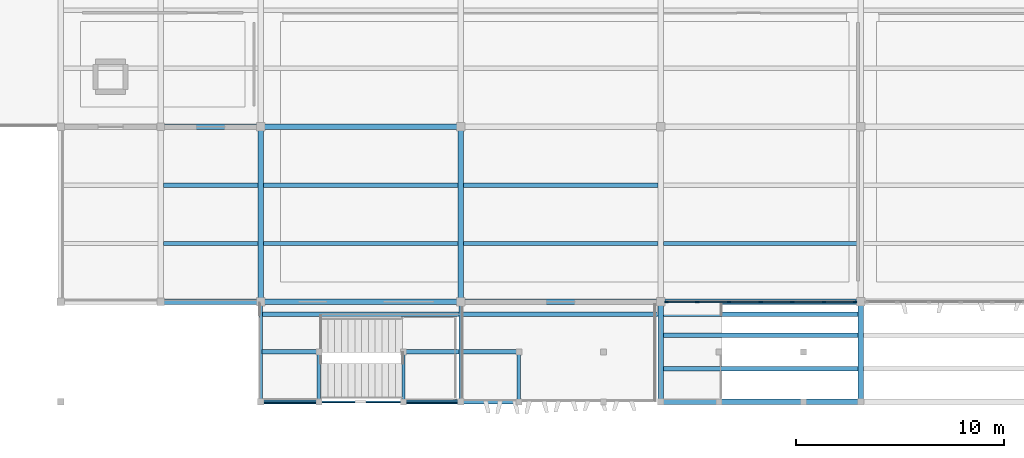
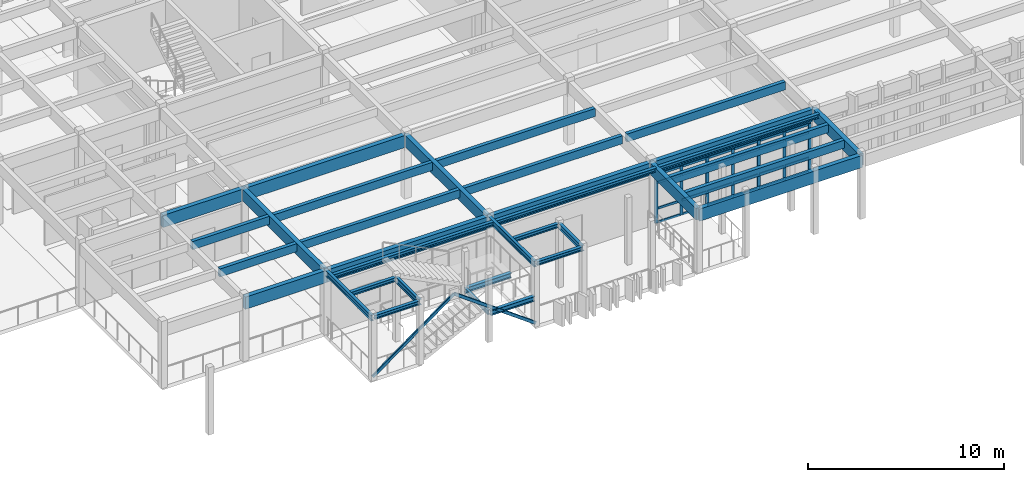
# One storey, part 6 of 42: 34 beams, 33 members, 1 element without a shape of its own.
"""IFC4 building model written with IfcOpenShell, lengths in metres."""

from ifc_helpers import new_model, si_unit, direction, frame, origin, origin_2d, place, context, subcontext, project, spatial, rectangle, hollow_rectangle, i_section, extrude, material, layer, layer_set, material_profile, profile_set, type_object, element, aggregate, save


model = new_model("IFC4")

# Units and contexts
model_context = context("Model", 3, precision=1e-05, world=origin(), true_north=direction((0.0, 1.0)))
body_context = subcontext(model_context, "Body", "Model", "MODEL_VIEW")
ifc_project = project(units=[si_unit("LENGTHUNIT", "METRE"), si_unit("AREAUNIT", "SQUARE_METRE"), si_unit("VOLUMEUNIT", "CUBIC_METRE"), si_unit("PLANEANGLEUNIT", "RADIAN"), si_unit("MASSUNIT", "GRAM", prefix="KILO")], contexts=[model_context])

# Site, building, storey
site_placement = place(None, origin())
site = spatial("IfcSite", under=ifc_project, at=site_placement, CompositionType="ELEMENT")
building_placement = place(site_placement, origin())
building = spatial("IfcBuilding", under=site, at=building_placement, Name="Kolvemor Railside Polytechnic", CompositionType="ELEMENT")
storey_placement = place(building_placement, frame((0.0, 0.0, 14.39990234375)))
storey = spatial("IfcBuildingStorey", under=building, at=storey_placement, Name="L03", CompositionType="ELEMENT", Elevation=14.39990234375)

# Beams
ifc_material_1 = material(Name="Glulam GL28h", Category="wood")
ifc_material_profile_1 = material_profile(ifc_material_1, rectangle(XDim=0.264892578125, YDim=0.760009765625, at=origin_2d()), Name="GL265x760")
ifc_profile_set_1 = profile_set([ifc_material_profile_1], Name="Glulam GL28h")
beam_type_1 = type_object("IfcBeamType", Name="BM-GL-GIRD1", PredefinedType="BEAM", material=ifc_profile_set_1)
beam_1_placement = place(storey_placement, frame((62.39990234375, 4.800048828125, 3.570068359375), z_axis=(1.0, 0.0, 0.0), x_axis=(0.0, 1.0, 0.0)))
element("IfcBeam", 1, at=beam_1_placement, inside=storey, type_object=beam_type_1, Name="Primary Girder L04-GX 1368", PredefinedType="BEAM", context=body_context, shape_type="SweptSolid", body=[
    extrude(rectangle(XDim=0.264892578125, YDim=0.760009765625, at=origin_2d()), origin(), (0.0, 0.0, 1.0), 4.800048828125),
])
beam_2_placement = place(storey_placement, frame((67.199951171875, 4.800048828125, 3.570068359375), z_axis=(1.0, 0.0, 0.0), x_axis=(0.0, 1.0, 0.0)))
element("IfcBeam", 2, at=beam_2_placement, inside=storey, type_object=beam_type_1, Name="Primary Girder L04-GX 1369", PredefinedType="BEAM", context=body_context, shape_type="SweptSolid", body=[
    extrude(rectangle(XDim=0.264892578125, YDim=0.760009765625, at=origin_2d()), origin(), (0.0, 0.0, 1.0), 9.60009765625),
])
beam_3_placement = place(storey_placement, frame((76.800048828125, 4.800048828125, 3.570068359375), z_axis=(1.0, 0.0, 0.0), x_axis=(0.0, 1.0, 0.0)))
element("IfcBeam", 3, at=beam_3_placement, inside=storey, type_object=beam_type_1, Name="Primary Girder L04-GX 1370", PredefinedType="BEAM", context=body_context, shape_type="SweptSolid", body=[
    extrude(rectangle(XDim=0.264892578125, YDim=0.760009765625, at=origin_2d()), origin(), (0.0, 0.0, 1.0), 9.599853515625),
])
beam_4_placement = place(storey_placement, frame((86.39990234375, 4.800048828125, 3.570068359375), z_axis=(1.0, 0.0, 0.0), x_axis=(0.0, 1.0, 0.0)))
element("IfcBeam", 4, at=beam_4_placement, inside=storey, type_object=beam_type_1, Name="Primary Girder L04-GX 1371", PredefinedType="BEAM", context=body_context, shape_type="SweptSolid", body=[
    extrude(rectangle(XDim=0.264892578125, YDim=0.760009765625, at=origin_2d()), origin(), (0.0, 0.0, 1.0), 9.60009765625),
])
beam_5_placement = place(storey_placement, frame((62.39990234375, 13.199951171875, 3.570068359375), z_axis=(1.0, 0.0, 0.0), x_axis=(0.0, 1.0, 0.0)))
element("IfcBeam", 5, at=beam_5_placement, inside=storey, type_object=beam_type_1, Name="Primary Girder L04-GX 1377", PredefinedType="BEAM", context=body_context, shape_type="SweptSolid", body=[
    extrude(rectangle(XDim=0.264892578125, YDim=0.760009765625, at=origin_2d()), origin(), (0.0, 0.0, 1.0), 4.800048828125),
])
for number, where, z_axis, x_axis, name in (
    (6, (67.199951171875, 13.199951171875, 3.570068359375), (1.0, 0.0, 0.0), (0.0, 1.0, 0.0), "Primary Girder L04-GX 1378"),
    (7, (86.39990234375, 0.0, 3.570068359375), (1.0, 0.0, 0.0), (0.0, 1.0, 0.0), "Primary Girder L04-GX 1942"),
):
    element("IfcBeam", number, at=place(storey_placement, frame(where, z_axis=z_axis, x_axis=x_axis)), inside=storey, type_object=beam_type_1, Name=name, PredefinedType="BEAM", context=body_context, shape_type="SweptSolid", body=[
        extrude(rectangle(XDim=0.264892578125, YDim=0.760009765625, at=origin_2d()), origin(), (0.0, 0.0, 1.0), 9.60009765625),
    ])
ifc_material_2 = material(Name="Glulam GL28h", Category="wood")
ifc_material_profile_2 = material_profile(ifc_material_2, rectangle(XDim=0.264892578125, YDim=0.719970703125, at=origin_2d()), Name="GL265x720")
ifc_profile_set_2 = profile_set([ifc_material_profile_2], Name="Glulam GL28h")
beam_type_2 = type_object("IfcBeamType", Name="BM-GL-GIRD4", PredefinedType="BEAM", material=ifc_profile_set_2)
for number, where, z_axis, x_axis, name in (
    (8, (67.199951171875, 4.800048828125, 3.590087890625), (0.0, 1.0, 0.0), (-1.0, 0.0, 0.0), "Primary Girder L04-GY 1420"),
    (9, (76.800048828125, 4.800048828125, 3.590087890625), (0.0, 1.0, 0.0), (-1.0, 0.0, 0.0), "Primary Girder L04-GY 1424"),
):
    element("IfcBeam", number, at=place(storey_placement, frame(where, z_axis=z_axis, x_axis=x_axis)), inside=storey, type_object=beam_type_2, Name=name, PredefinedType="BEAM", context=body_context, shape_type="SweptSolid", body=[
        extrude(rectangle(XDim=0.264892578125, YDim=0.719970703125, at=origin_2d()), origin(), (0.0, 0.0, 1.0), 8.39990234375),
    ])
for number, where, z_axis, x_axis, name in (
    (10, (86.39990234375, 0.0, 3.590087890625), (0.0, 1.0, 0.0), (-1.0, 0.0, 0.0), "Primary Girder L04-GY 1945"),
    (11, (96.0, 0.0, 3.590087890625), (0.0, 1.0, 0.0), (-1.0, 0.0, 0.0), "Primary Girder L04-GY 1946"),
):
    element("IfcBeam", number, at=place(storey_placement, frame(where, z_axis=z_axis, x_axis=x_axis)), inside=storey, type_object=beam_type_2, Name=name, PredefinedType="BEAM", context=body_context, shape_type="SweptSolid", body=[
        extrude(rectangle(XDim=0.264892578125, YDim=0.719970703125, at=origin_2d()), origin(), (0.0, 0.0, 1.0), 4.800048828125),
    ])
ifc_material_3 = material(Name="Glulam GL28h", Category="wood")
ifc_material_profile_3 = material_profile(ifc_material_3, rectangle(XDim=0.215087890625, YDim=0.5, at=origin_2d()), Name="GL215x500")
ifc_profile_set_3 = profile_set([ifc_material_profile_3], Name="Glulam GL28h")
beam_type_3 = type_object("IfcBeamType", Name="BM-GL-JST3", PredefinedType="JOIST", material=ifc_profile_set_3)
for number, where, z_axis, x_axis, name in (
    (12, (62.532958984375, 7.60009765625, 3.7001953125), (1.0, 0.0, 0.0), (0.0, 1.0, 0.0), "Floor Joist L04-J1460"),
    (13, (62.532958984375, 10.39990234375, 3.7001953125), (1.0, 0.0, 0.0), (0.0, 1.0, 0.0), "Floor Joist L04-J1461"),
):
    element("IfcBeam", number, at=place(storey_placement, frame(where, z_axis=z_axis, x_axis=x_axis)), inside=storey, type_object=beam_type_3, Name=name, PredefinedType="JOIST", context=body_context, shape_type="SweptSolid", body=[
        extrude(rectangle(XDim=0.215087890625, YDim=0.5, at=origin_2d()), origin(), (0.0, 0.0, 1.0), 4.533935546875),
    ])
for number, where, z_axis, x_axis, name in (
    (14, (67.3330078125, 7.60009765625, 3.7001953125), (1.0, 0.0, 0.0), (0.0, 1.0, 0.0), "Floor Joist L04-J1468"),
    (15, (67.3330078125, 10.39990234375, 3.7001953125), (1.0, 0.0, 0.0), (0.0, 1.0, 0.0), "Floor Joist L04-J1469"),
    (16, (76.93310546875, 7.60009765625, 3.7001953125), (1.0, 0.0, 0.0), (0.0, 1.0, 0.0), "Floor Joist L04-J1474"),
    (17, (76.93310546875, 10.39990234375, 3.7001953125), (1.0, 0.0, 0.0), (0.0, 1.0, 0.0), "Floor Joist L04-J1475"),
    (18, (86.532958984375, 7.60009765625, 3.7001953125), (1.0, 0.0, 0.0), (0.0, 1.0, 0.0), "Floor Joist L04-J1482"),
    (19, (86.532958984375, 1.60009765625, 3.7001953125), (1.0, 0.0, 0.0), (0.0, 1.0, 0.0), "Floor Joist L04-J1949"),
    (20, (86.532958984375, 3.199951171875, 3.7001953125), (1.0, 0.0, 0.0), (0.0, 1.0, 0.0), "Floor Joist L04-J1950"),
):
    element("IfcBeam", number, at=place(storey_placement, frame(where, z_axis=z_axis, x_axis=x_axis)), inside=storey, type_object=beam_type_3, Name=name, PredefinedType="JOIST", context=body_context, shape_type="SweptSolid", body=[
        extrude(rectangle(XDim=0.215087890625, YDim=0.5, at=origin_2d()), origin(), (0.0, 0.0, 1.0), 9.333984375),
    ])
ifc_material_4 = material(Name="Steel S355", Category="steel")
ifc_material_profile_4 = material_profile(ifc_material_4, i_section(OverallWidth=0.1708984375, OverallDepth=0.35205078125, WebThickness=0.0068359375, FlangeThickness=0.009765625, FilletRadius=0.010986328125, at=origin_2d()), Name="W360x44")
ifc_profile_set_4 = profile_set([ifc_material_profile_4], Name="Steel S355")
beam_type_4 = type_object("IfcBeamType", Name="BM-ST-G3", PredefinedType="BEAM", material=ifc_profile_set_4)
beam_6_placement = place(storey_placement, frame((67.199951171875, 0.0, 3.80419921875), z_axis=(0.0, 1.0, 0.0), x_axis=(-1.0, 0.0, 0.0)))
element("IfcBeam", 21, at=beam_6_placement, inside=storey, type_object=beam_type_4, Name="Zigzag Stair Top Beam L04 2067", PredefinedType="BEAM", context=body_context, shape_type="SweptSolid", body=[
    extrude(i_section(OverallWidth=0.1708984375, OverallDepth=0.35205078125, WebThickness=0.0068359375, FlangeThickness=0.009765625, FilletRadius=0.010986328125, at=origin_2d()), origin(), (0.0, 0.0, 1.0), 4.800048828125),
])
beam_7_placement = place(storey_placement, frame((70.0, 0.0, 3.80419921875), z_axis=(0.0, 1.0, 0.0), x_axis=(-1.0, 0.0, 0.0)))
element("IfcBeam", 22, at=beam_7_placement, inside=storey, type_object=beam_type_4, Name="Zigzag Stair Top Beam L04 2068", PredefinedType="BEAM", context=body_context, shape_type="SweptSolid", body=[
    extrude(i_section(OverallWidth=0.1708984375, OverallDepth=0.35205078125, WebThickness=0.0068359375, FlangeThickness=0.009765625, FilletRadius=0.010986328125, at=origin_2d()), origin(), (0.0, 0.0, 1.0), 2.39990234375),
])
beam_8_placement = place(storey_placement, frame((76.800048828125, 0.0, 3.80419921875), z_axis=(0.0, 1.0, 0.0), x_axis=(-1.0, 0.0, 0.0)))
element("IfcBeam", 23, at=beam_8_placement, inside=storey, type_object=beam_type_4, Name="Zigzag Stair Departure Beam L04 2071", PredefinedType="BEAM", context=body_context, shape_type="SweptSolid", body=[
    extrude(i_section(OverallWidth=0.1708984375, OverallDepth=0.35205078125, WebThickness=0.0068359375, FlangeThickness=0.009765625, FilletRadius=0.010986328125, at=origin_2d()), origin(), (0.0, 0.0, 1.0), 4.800048828125),
])
beam_9_placement = place(storey_placement, frame((79.60009765625, 0.0, 3.80419921875), z_axis=(0.0, 1.0, 0.0), x_axis=(-1.0, 0.0, 0.0)))
element("IfcBeam", 24, at=beam_9_placement, inside=storey, type_object=beam_type_4, Name="Zigzag Stair Departure Beam L04 2072", PredefinedType="BEAM", context=body_context, shape_type="SweptSolid", body=[
    extrude(i_section(OverallWidth=0.1708984375, OverallDepth=0.35205078125, WebThickness=0.0068359375, FlangeThickness=0.009765625, FilletRadius=0.010986328125, at=origin_2d()), origin(), (0.0, 0.0, 1.0), 2.39990234375),
])
ifc_material_5 = material(Name="Steel S355", Category="steel")
ifc_material_profile_5 = material_profile(ifc_material_5, i_section(OverallWidth=0.14599609375, OverallDepth=0.258056640625, WebThickness=0.006103515625, FlangeThickness=0.009033203125, FilletRadius=0.009033203125, at=origin_2d()), Name="W250x33")
ifc_profile_set_5 = profile_set([ifc_material_profile_5], Name="Steel S355")
beam_type_5 = type_object("IfcBeamType", Name="BM-ST-G4", PredefinedType="BEAM", material=ifc_profile_set_5)
beam_10_placement = place(storey_placement, frame((74.050048828125, 0.0, 1.7509765625), z_axis=(0.0, 1.0, 0.0), x_axis=(-1.0, 0.0, 0.0)))
element("IfcBeam", 25, at=beam_10_placement, inside=storey, type_object=beam_type_5, Name="Zigzag Stair Mid Beam L03 2078", PredefinedType="BEAM", context=body_context, shape_type="SweptSolid", body=[
    extrude(i_section(OverallWidth=0.14599609375, OverallDepth=0.258056640625, WebThickness=0.006103515625, FlangeThickness=0.009033203125, FilletRadius=0.009033203125, at=origin_2d()), origin(), (0.0, 0.0, 1.0), 2.39990234375),
])
ifc_material_6 = material(Name="Steel S355", Category="steel")
ifc_material_profile_6 = material_profile(ifc_material_6, i_section(OverallWidth=0.202880859375, OverallDepth=0.302978515625, WebThickness=0.007568359375, FlangeThickness=0.01318359375, FilletRadius=0.010009765625, at=origin_2d()), Name="W310x60")
ifc_profile_set_6 = profile_set([ifc_material_profile_6], Name="Steel S355")
beam_type_6 = type_object("IfcBeamType", Name="BM-ST-G5", PredefinedType="BEAM", material=ifc_profile_set_6)
for number, where, z_axis, x_axis, name in (
    (26, (74.125, 0.0, 1.728515625), (1.0, 0.0, 0.0), (0.0, 1.0, 0.0), "Zigzag Stair Mid Tie L03 2079"),
    (27, (74.125, 2.39990234375, 1.728515625), (1.0, 0.0, 0.0), (0.0, 1.0, 0.0), "Zigzag Stair Mid Tie L03 2080"),
):
    element("IfcBeam", number, at=place(storey_placement, frame(where, z_axis=z_axis, x_axis=x_axis)), inside=storey, type_object=beam_type_6, Name=name, PredefinedType="BEAM", context=body_context, shape_type="SweptSolid", body=[
        extrude(i_section(OverallWidth=0.202880859375, OverallDepth=0.302978515625, WebThickness=0.007568359375, FlangeThickness=0.01318359375, FilletRadius=0.010009765625, at=origin_2d()), origin(), (0.0, 0.0, 1.0), 2.60009765625),
    ])
ifc_material_7 = material(Name="Steel S355", Category="steel")
ifc_material_profile_7 = material_profile(ifc_material_7, i_section(OverallWidth=0.201904296875, OverallDepth=0.2470703125, WebThickness=0.00732421875, FlangeThickness=0.010986328125, FilletRadius=0.010009765625, at=origin_2d()), Name="W250x49")
ifc_profile_set_7 = profile_set([ifc_material_profile_7], Name="Steel S355")
beam_type_7 = type_object("IfcBeamType", Name="BM-ST-G6", PredefinedType="BEAM", material=ifc_profile_set_7)
for number, where, z_axis, x_axis, name in (
    (28, (67.27490234375, 0.0, 3.856689453125), (1.0, 0.0, 0.0), (0.0, 1.0, 0.0), "Zigzag Stair Top Tie L04 2069"),
    (29, (67.27490234375, 2.39990234375, 3.856689453125), (1.0, 0.0, 0.0), (0.0, 1.0, 0.0), "Zigzag Stair Top Tie L04 2070"),
):
    element("IfcBeam", number, at=place(storey_placement, frame(where, z_axis=z_axis, x_axis=x_axis)), inside=storey, type_object=beam_type_7, Name=name, PredefinedType="BEAM", context=body_context, shape_type="SweptSolid", body=[
        extrude(i_section(OverallWidth=0.201904296875, OverallDepth=0.2470703125, WebThickness=0.00732421875, FlangeThickness=0.010986328125, FilletRadius=0.010009765625, at=origin_2d()), origin(), (0.0, 0.0, 1.0), 2.650146484375),
    ])
for number, where, z_axis, x_axis, name in (
    (30, (76.875, 0.0, 3.856689453125), (1.0, 0.0, 0.0), (0.0, 1.0, 0.0), "Zigzag Stair Departure Tie L04 2073"),
    (31, (76.875, 2.39990234375, 3.856689453125), (1.0, 0.0, 0.0), (0.0, 1.0, 0.0), "Zigzag Stair Departure Tie L04 2074"),
):
    element("IfcBeam", number, at=place(storey_placement, frame(where, z_axis=z_axis, x_axis=x_axis)), inside=storey, type_object=beam_type_7, Name=name, PredefinedType="BEAM", context=body_context, shape_type="SweptSolid", body=[
        extrude(i_section(OverallWidth=0.201904296875, OverallDepth=0.2470703125, WebThickness=0.00732421875, FlangeThickness=0.010986328125, FilletRadius=0.010009765625, at=origin_2d()), origin(), (0.0, 0.0, 1.0), 2.64990234375),
    ])
beam_11_placement = place(storey_placement, frame((67.280029296875, 4.199951171875, 3.856689453125), z_axis=(1.0, 0.0, 0.0), x_axis=(0.0, 1.0, 0.0)))
element("IfcBeam", 32, at=beam_11_placement, inside=storey, type_object=beam_type_7, Name="Zigzag Rear Gallery Beam L04 2075", PredefinedType="BEAM", context=body_context, shape_type="SweptSolid", body=[
    extrude(i_section(OverallWidth=0.201904296875, OverallDepth=0.2470703125, WebThickness=0.00732421875, FlangeThickness=0.010986328125, FilletRadius=0.010009765625, at=origin_2d()), origin(), (0.0, 0.0, 1.0), 9.43994140625),
])
beam_12_placement = place(storey_placement, frame((76.8798828125, 4.199951171875, 3.856689453125), z_axis=(1.0, 0.0, 0.0), x_axis=(0.0, 1.0, 0.0)))
element("IfcBeam", 33, at=beam_12_placement, inside=storey, type_object=beam_type_7, Name="Zigzag Rear Gallery Beam L04 2076", PredefinedType="BEAM", context=body_context, shape_type="SweptSolid", body=[
    extrude(i_section(OverallWidth=0.201904296875, OverallDepth=0.2470703125, WebThickness=0.00732421875, FlangeThickness=0.010986328125, FilletRadius=0.010009765625, at=origin_2d()), origin(), (0.0, 0.0, 1.0), 9.440185546875),
])
beam_13_placement = place(storey_placement, frame((86.47998046875, 4.199951171875, 3.856689453125), z_axis=(1.0, 0.0, 0.0), x_axis=(0.0, 1.0, 0.0)))
element("IfcBeam", 34, at=beam_13_placement, inside=storey, type_object=beam_type_7, Name="Zigzag Rear Gallery Beam L04 2077", PredefinedType="BEAM", context=body_context, shape_type="SweptSolid", body=[
    extrude(i_section(OverallWidth=0.201904296875, OverallDepth=0.2470703125, WebThickness=0.00732421875, FlangeThickness=0.010986328125, FilletRadius=0.010009765625, at=origin_2d()), origin(), (0.0, 0.0, 1.0), 9.43994140625),
])

# Curtain wall, members
ifc_material_8 = material(Name="Anodised marine aluminium and laminated low-E glass", Category="aluminium")
ifc_layer = layer(ifc_material_8, 0.179931640625, Name="CW-UNIT-STD")
ifc_layer_set = layer_set([ifc_layer], Name="Anodised marine aluminium and laminated low-E glass")
curtain_wall_type = type_object("IfcCurtainWallType", Name="CW-UNIT-STD", PredefinedType="USERDEFINED", material=ifc_layer_set)
curtain_wall_placement = place(storey_placement, origin())
curtain_wall = element("IfcCurtainWall", 35, at=curtain_wall_placement, inside=storey, type_object=curtain_wall_type, Name="Curtain Wall L03-101", ObjectType="UNITISED CURTAIN WALL", PredefinedType="USERDEFINED")
ifc_material_9 = material(Name="Anodised marine aluminium 6063-T6", Category="aluminium")
ifc_material_profile_8 = material_profile(ifc_material_9, rectangle(XDim=0.074951171875, YDim=0.179931640625, at=origin_2d()), Name="CW-MUL-75x180")
ifc_profile_set_8 = profile_set([ifc_material_profile_8], Name="Anodised marine aluminium 6063-T6")
member_type_1 = type_object("IfcMemberType", Name="CWM-75x180", PredefinedType="MULLION", material=ifc_profile_set_8)
member_1_placement = place(storey_placement, frame((86.677490234375, 4.800048828125, 0.0), z_axis=(0.0, 0.0, 1.0), x_axis=(0.0, 1.0, 0.0)))
member_1 = element("IfcMember", 36, at=member_1_placement, type_object=member_type_1, Name="CW-STD mullion 1", PredefinedType="MULLION", context=body_context, shape_type="SweptSolid", body=[
    extrude(rectangle(XDim=0.074951171875, YDim=0.179931640625, at=origin_2d()), origin(), (0.0, 0.0, 1.0), 3.050048828125),
])
member_2_placement = place(storey_placement, frame((88.159912109375, 4.800048828125, 0.0), z_axis=(0.0, 0.0, 1.0), x_axis=(0.0, 1.0, 0.0)))
member_2 = element("IfcMember", 37, at=member_2_placement, type_object=member_type_1, Name="CW-STD mullion 2", PredefinedType="MULLION", context=body_context, shape_type="SweptSolid", body=[
    extrude(rectangle(XDim=0.074951171875, YDim=0.179931640625, at=origin_2d()), origin(), (0.0, 0.0, 1.0), 3.050048828125),
])
member_3_placement = place(storey_placement, frame((89.679931640625, 4.800048828125, 0.0), z_axis=(0.0, 0.0, 1.0), x_axis=(0.0, 1.0, 0.0)))
member_3 = element("IfcMember", 38, at=member_3_placement, type_object=member_type_1, Name="CW-STD mullion 3", PredefinedType="MULLION", context=body_context, shape_type="SweptSolid", body=[
    extrude(rectangle(XDim=0.074951171875, YDim=0.179931640625, at=origin_2d()), origin(), (0.0, 0.0, 1.0), 3.050048828125),
])
member_4_placement = place(storey_placement, frame((91.199951171875, 4.800048828125, 0.0), z_axis=(0.0, 0.0, 1.0), x_axis=(0.0, 1.0, 0.0)))
member_4 = element("IfcMember", 39, at=member_4_placement, type_object=member_type_1, Name="CW-STD mullion 4", PredefinedType="MULLION", context=body_context, shape_type="SweptSolid", body=[
    extrude(rectangle(XDim=0.074951171875, YDim=0.179931640625, at=origin_2d()), origin(), (0.0, 0.0, 1.0), 3.050048828125),
])
member_5_placement = place(storey_placement, frame((92.719970703125, 4.800048828125, 0.0), z_axis=(0.0, 0.0, 1.0), x_axis=(0.0, 1.0, 0.0)))
member_5 = element("IfcMember", 40, at=member_5_placement, type_object=member_type_1, Name="CW-STD mullion 5", PredefinedType="MULLION", context=body_context, shape_type="SweptSolid", body=[
    extrude(rectangle(XDim=0.074951171875, YDim=0.179931640625, at=origin_2d()), origin(), (0.0, 0.0, 1.0), 3.050048828125),
])
member_6_placement = place(storey_placement, frame((94.239990234375, 4.800048828125, 0.0), z_axis=(0.0, 0.0, 1.0), x_axis=(0.0, 1.0, 0.0)))
member_6 = element("IfcMember", 41, at=member_6_placement, type_object=member_type_1, Name="CW-STD mullion 6", PredefinedType="MULLION", context=body_context, shape_type="SweptSolid", body=[
    extrude(rectangle(XDim=0.074951171875, YDim=0.179931640625, at=origin_2d()), origin(), (0.0, 0.0, 1.0), 3.050048828125),
])
member_7_placement = place(storey_placement, frame((95.722412109375, 4.800048828125, 0.0), z_axis=(0.0, 0.0, 1.0), x_axis=(0.0, 1.0, 0.0)))
member_7 = element("IfcMember", 42, at=member_7_placement, type_object=member_type_1, Name="CW-STD mullion 7", PredefinedType="MULLION", context=body_context, shape_type="SweptSolid", body=[
    extrude(rectangle(XDim=0.074951171875, YDim=0.179931640625, at=origin_2d()), origin(), (0.0, 0.0, 1.0), 3.050048828125),
])
ifc_material_10 = material(Name="Anodised marine aluminium 6063-T6", Category="aluminium")
ifc_material_profile_9 = material_profile(ifc_material_10, rectangle(XDim=0.074951171875, YDim=0.139892578125, at=origin_2d()), Name="CW-TRN-75x140")
ifc_profile_set_9 = profile_set([ifc_material_profile_9], Name="Anodised marine aluminium 6063-T6")
member_type_2 = type_object("IfcMemberType", Name="CWT-75x140", PredefinedType="USERDEFINED", material=ifc_profile_set_9)
member_8_placement = place(storey_placement, frame((86.715087890625, 4.800048828125, 0.03759765625), z_axis=(1.0, 0.0, 0.0), x_axis=(0.0, 1.0, 0.0)))
member_8 = element("IfcMember", 43, at=member_8_placement, type_object=member_type_2, Name="CW-STD transom 1.1", ObjectType="TRANSOM", PredefinedType="USERDEFINED", context=body_context, shape_type="SweptSolid", body=[
    extrude(rectangle(XDim=0.074951171875, YDim=0.139892578125, at=origin_2d()), origin(), (0.0, 0.0, 1.0), 1.407470703125),
])
member_9_placement = place(storey_placement, frame((86.715087890625, 4.800048828125, 0.900146484375), z_axis=(1.0, 0.0, 0.0), x_axis=(0.0, 1.0, 0.0)))
member_9 = element("IfcMember", 44, at=member_9_placement, type_object=member_type_2, Name="CW-STD transom 1.2", ObjectType="TRANSOM", PredefinedType="USERDEFINED", context=body_context, shape_type="SweptSolid", body=[
    extrude(rectangle(XDim=0.074951171875, YDim=0.139892578125, at=origin_2d()), origin(), (0.0, 0.0, 1.0), 1.407470703125),
])
member_10_placement = place(storey_placement, frame((86.715087890625, 4.800048828125, 2.5), z_axis=(1.0, 0.0, 0.0), x_axis=(0.0, 1.0, 0.0)))
member_10 = element("IfcMember", 45, at=member_10_placement, type_object=member_type_2, Name="CW-STD transom 1.3", ObjectType="TRANSOM", PredefinedType="USERDEFINED", context=body_context, shape_type="SweptSolid", body=[
    extrude(rectangle(XDim=0.074951171875, YDim=0.139892578125, at=origin_2d()), origin(), (0.0, 0.0, 1.0), 1.407470703125),
])
member_11_placement = place(storey_placement, frame((86.715087890625, 4.800048828125, 3.0126953125), z_axis=(1.0, 0.0, 0.0), x_axis=(0.0, 1.0, 0.0)))
member_11 = element("IfcMember", 46, at=member_11_placement, type_object=member_type_2, Name="CW-STD transom 1.4", ObjectType="TRANSOM", PredefinedType="USERDEFINED", context=body_context, shape_type="SweptSolid", body=[
    extrude(rectangle(XDim=0.074951171875, YDim=0.139892578125, at=origin_2d()), origin(), (0.0, 0.0, 1.0), 1.407470703125),
])
member_12_placement = place(storey_placement, frame((88.197509765625, 4.800048828125, 0.03759765625), z_axis=(1.0, 0.0, 0.0), x_axis=(0.0, 1.0, 0.0)))
member_12 = element("IfcMember", 47, at=member_12_placement, type_object=member_type_2, Name="CW-STD transom 2.1", ObjectType="TRANSOM", PredefinedType="USERDEFINED", context=body_context, shape_type="SweptSolid", body=[
    extrude(rectangle(XDim=0.074951171875, YDim=0.139892578125, at=origin_2d()), origin(), (0.0, 0.0, 1.0), 1.445068359375),
])
member_13_placement = place(storey_placement, frame((88.197509765625, 4.800048828125, 0.900146484375), z_axis=(1.0, 0.0, 0.0), x_axis=(0.0, 1.0, 0.0)))
member_13 = element("IfcMember", 48, at=member_13_placement, type_object=member_type_2, Name="CW-STD transom 2.2", ObjectType="TRANSOM", PredefinedType="USERDEFINED", context=body_context, shape_type="SweptSolid", body=[
    extrude(rectangle(XDim=0.074951171875, YDim=0.139892578125, at=origin_2d()), origin(), (0.0, 0.0, 1.0), 1.445068359375),
])
member_14_placement = place(storey_placement, frame((88.197509765625, 4.800048828125, 2.5), z_axis=(1.0, 0.0, 0.0), x_axis=(0.0, 1.0, 0.0)))
member_14 = element("IfcMember", 49, at=member_14_placement, type_object=member_type_2, Name="CW-STD transom 2.3", ObjectType="TRANSOM", PredefinedType="USERDEFINED", context=body_context, shape_type="SweptSolid", body=[
    extrude(rectangle(XDim=0.074951171875, YDim=0.139892578125, at=origin_2d()), origin(), (0.0, 0.0, 1.0), 1.445068359375),
])
member_15_placement = place(storey_placement, frame((88.197509765625, 4.800048828125, 3.0126953125), z_axis=(1.0, 0.0, 0.0), x_axis=(0.0, 1.0, 0.0)))
member_15 = element("IfcMember", 50, at=member_15_placement, type_object=member_type_2, Name="CW-STD transom 2.4", ObjectType="TRANSOM", PredefinedType="USERDEFINED", context=body_context, shape_type="SweptSolid", body=[
    extrude(rectangle(XDim=0.074951171875, YDim=0.139892578125, at=origin_2d()), origin(), (0.0, 0.0, 1.0), 1.445068359375),
])
member_16_placement = place(storey_placement, frame((89.717529296875, 4.800048828125, 0.03759765625), z_axis=(1.0, 0.0, 0.0), x_axis=(0.0, 1.0, 0.0)))
member_16 = element("IfcMember", 51, at=member_16_placement, type_object=member_type_2, Name="CW-STD transom 3.1", ObjectType="TRANSOM", PredefinedType="USERDEFINED", context=body_context, shape_type="SweptSolid", body=[
    extrude(rectangle(XDim=0.074951171875, YDim=0.139892578125, at=origin_2d()), origin(), (0.0, 0.0, 1.0), 1.445068359375),
])
member_17_placement = place(storey_placement, frame((89.717529296875, 4.800048828125, 0.900146484375), z_axis=(1.0, 0.0, 0.0), x_axis=(0.0, 1.0, 0.0)))
member_17 = element("IfcMember", 52, at=member_17_placement, type_object=member_type_2, Name="CW-STD transom 3.2", ObjectType="TRANSOM", PredefinedType="USERDEFINED", context=body_context, shape_type="SweptSolid", body=[
    extrude(rectangle(XDim=0.074951171875, YDim=0.139892578125, at=origin_2d()), origin(), (0.0, 0.0, 1.0), 1.445068359375),
])
member_18_placement = place(storey_placement, frame((89.717529296875, 4.800048828125, 2.5), z_axis=(1.0, 0.0, 0.0), x_axis=(0.0, 1.0, 0.0)))
member_18 = element("IfcMember", 53, at=member_18_placement, type_object=member_type_2, Name="CW-STD transom 3.3", ObjectType="TRANSOM", PredefinedType="USERDEFINED", context=body_context, shape_type="SweptSolid", body=[
    extrude(rectangle(XDim=0.074951171875, YDim=0.139892578125, at=origin_2d()), origin(), (0.0, 0.0, 1.0), 1.445068359375),
])
member_19_placement = place(storey_placement, frame((89.717529296875, 4.800048828125, 3.0126953125), z_axis=(1.0, 0.0, 0.0), x_axis=(0.0, 1.0, 0.0)))
member_19 = element("IfcMember", 54, at=member_19_placement, type_object=member_type_2, Name="CW-STD transom 3.4", ObjectType="TRANSOM", PredefinedType="USERDEFINED", context=body_context, shape_type="SweptSolid", body=[
    extrude(rectangle(XDim=0.074951171875, YDim=0.139892578125, at=origin_2d()), origin(), (0.0, 0.0, 1.0), 1.445068359375),
])
member_20_placement = place(storey_placement, frame((91.237548828125, 4.800048828125, 0.03759765625), z_axis=(1.0, 0.0, 0.0), x_axis=(0.0, 1.0, 0.0)))
member_20 = element("IfcMember", 55, at=member_20_placement, type_object=member_type_2, Name="CW-STD transom 4.1", ObjectType="TRANSOM", PredefinedType="USERDEFINED", context=body_context, shape_type="SweptSolid", body=[
    extrude(rectangle(XDim=0.074951171875, YDim=0.139892578125, at=origin_2d()), origin(), (0.0, 0.0, 1.0), 1.445068359375),
])
member_21_placement = place(storey_placement, frame((91.237548828125, 4.800048828125, 0.900146484375), z_axis=(1.0, 0.0, 0.0), x_axis=(0.0, 1.0, 0.0)))
member_21 = element("IfcMember", 56, at=member_21_placement, type_object=member_type_2, Name="CW-STD transom 4.2", ObjectType="TRANSOM", PredefinedType="USERDEFINED", context=body_context, shape_type="SweptSolid", body=[
    extrude(rectangle(XDim=0.074951171875, YDim=0.139892578125, at=origin_2d()), origin(), (0.0, 0.0, 1.0), 1.445068359375),
])
member_22_placement = place(storey_placement, frame((91.237548828125, 4.800048828125, 2.5), z_axis=(1.0, 0.0, 0.0), x_axis=(0.0, 1.0, 0.0)))
member_22 = element("IfcMember", 57, at=member_22_placement, type_object=member_type_2, Name="CW-STD transom 4.3", ObjectType="TRANSOM", PredefinedType="USERDEFINED", context=body_context, shape_type="SweptSolid", body=[
    extrude(rectangle(XDim=0.074951171875, YDim=0.139892578125, at=origin_2d()), origin(), (0.0, 0.0, 1.0), 1.445068359375),
])
member_23_placement = place(storey_placement, frame((91.237548828125, 4.800048828125, 3.0126953125), z_axis=(1.0, 0.0, 0.0), x_axis=(0.0, 1.0, 0.0)))
member_23 = element("IfcMember", 58, at=member_23_placement, type_object=member_type_2, Name="CW-STD transom 4.4", ObjectType="TRANSOM", PredefinedType="USERDEFINED", context=body_context, shape_type="SweptSolid", body=[
    extrude(rectangle(XDim=0.074951171875, YDim=0.139892578125, at=origin_2d()), origin(), (0.0, 0.0, 1.0), 1.445068359375),
])
member_24_placement = place(storey_placement, frame((92.757568359375, 4.800048828125, 0.03759765625), z_axis=(1.0, 0.0, 0.0), x_axis=(0.0, 1.0, 0.0)))
member_24 = element("IfcMember", 59, at=member_24_placement, type_object=member_type_2, Name="CW-STD transom 5.1", ObjectType="TRANSOM", PredefinedType="USERDEFINED", context=body_context, shape_type="SweptSolid", body=[
    extrude(rectangle(XDim=0.074951171875, YDim=0.139892578125, at=origin_2d()), origin(), (0.0, 0.0, 1.0), 1.44482421875),
])
member_25_placement = place(storey_placement, frame((92.757568359375, 4.800048828125, 0.900146484375), z_axis=(1.0, 0.0, 0.0), x_axis=(0.0, 1.0, 0.0)))
member_25 = element("IfcMember", 60, at=member_25_placement, type_object=member_type_2, Name="CW-STD transom 5.2", ObjectType="TRANSOM", PredefinedType="USERDEFINED", context=body_context, shape_type="SweptSolid", body=[
    extrude(rectangle(XDim=0.074951171875, YDim=0.139892578125, at=origin_2d()), origin(), (0.0, 0.0, 1.0), 1.44482421875),
])
member_26_placement = place(storey_placement, frame((92.757568359375, 4.800048828125, 2.5), z_axis=(1.0, 0.0, 0.0), x_axis=(0.0, 1.0, 0.0)))
member_26 = element("IfcMember", 61, at=member_26_placement, type_object=member_type_2, Name="CW-STD transom 5.3", ObjectType="TRANSOM", PredefinedType="USERDEFINED", context=body_context, shape_type="SweptSolid", body=[
    extrude(rectangle(XDim=0.074951171875, YDim=0.139892578125, at=origin_2d()), origin(), (0.0, 0.0, 1.0), 1.44482421875),
])
member_27_placement = place(storey_placement, frame((92.757568359375, 4.800048828125, 3.0126953125), z_axis=(1.0, 0.0, 0.0), x_axis=(0.0, 1.0, 0.0)))
member_27 = element("IfcMember", 62, at=member_27_placement, type_object=member_type_2, Name="CW-STD transom 5.4", ObjectType="TRANSOM", PredefinedType="USERDEFINED", context=body_context, shape_type="SweptSolid", body=[
    extrude(rectangle(XDim=0.074951171875, YDim=0.139892578125, at=origin_2d()), origin(), (0.0, 0.0, 1.0), 1.44482421875),
])
member_28_placement = place(storey_placement, frame((94.277587890625, 4.800048828125, 0.03759765625), z_axis=(1.0, 0.0, 0.0), x_axis=(0.0, 1.0, 0.0)))
member_28 = element("IfcMember", 63, at=member_28_placement, type_object=member_type_2, Name="CW-STD transom 6.1", ObjectType="TRANSOM", PredefinedType="USERDEFINED", context=body_context, shape_type="SweptSolid", body=[
    extrude(rectangle(XDim=0.074951171875, YDim=0.139892578125, at=origin_2d()), origin(), (0.0, 0.0, 1.0), 1.407470703125),
])
member_29_placement = place(storey_placement, frame((94.277587890625, 4.800048828125, 0.900146484375), z_axis=(1.0, 0.0, 0.0), x_axis=(0.0, 1.0, 0.0)))
member_29 = element("IfcMember", 64, at=member_29_placement, type_object=member_type_2, Name="CW-STD transom 6.2", ObjectType="TRANSOM", PredefinedType="USERDEFINED", context=body_context, shape_type="SweptSolid", body=[
    extrude(rectangle(XDim=0.074951171875, YDim=0.139892578125, at=origin_2d()), origin(), (0.0, 0.0, 1.0), 1.407470703125),
])
member_30_placement = place(storey_placement, frame((94.277587890625, 4.800048828125, 2.5), z_axis=(1.0, 0.0, 0.0), x_axis=(0.0, 1.0, 0.0)))
member_30 = element("IfcMember", 65, at=member_30_placement, type_object=member_type_2, Name="CW-STD transom 6.3", ObjectType="TRANSOM", PredefinedType="USERDEFINED", context=body_context, shape_type="SweptSolid", body=[
    extrude(rectangle(XDim=0.074951171875, YDim=0.139892578125, at=origin_2d()), origin(), (0.0, 0.0, 1.0), 1.407470703125),
])
member_31_placement = place(storey_placement, frame((94.277587890625, 4.800048828125, 3.0126953125), z_axis=(1.0, 0.0, 0.0), x_axis=(0.0, 1.0, 0.0)))
member_31 = element("IfcMember", 66, at=member_31_placement, type_object=member_type_2, Name="CW-STD transom 6.4", ObjectType="TRANSOM", PredefinedType="USERDEFINED", context=body_context, shape_type="SweptSolid", body=[
    extrude(rectangle(XDim=0.074951171875, YDim=0.139892578125, at=origin_2d()), origin(), (0.0, 0.0, 1.0), 1.407470703125),
])
aggregate(curtain_wall, [member_1, member_2, member_3, member_4, member_5, member_6, member_7, member_8, member_9, member_10, member_11, member_12, member_13, member_14, member_15, member_16, member_17, member_18, member_19, member_20, member_21, member_22, member_23, member_24, member_25, member_26, member_27, member_28, member_29, member_30, member_31])

# Members
ifc_material_11 = material(Name="Steel S355", Category="steel")
ifc_material_profile_10 = material_profile(ifc_material_11, hollow_rectangle(XDim=0.10009765625, YDim=0.179931640625, WallThickness=0.008056640625, InnerFilletRadius=0.008056640625, OuterFilletRadius=0.01611328125, at=origin_2d()), Name="HSS180x100x8")
ifc_profile_set_10 = profile_set([ifc_material_profile_10], Name="Steel S355")
member_type_3 = type_object("IfcMemberType", Name="MEM-BR-HSS4", PredefinedType="BRACE", material=ifc_profile_set_10)
for number, where, z_axis, x_axis, name in (
    (67, (67.199951171875, 0.0, 0.150146484375), (0.808010383365, 0.0, 0.589168244541), (0.0, 1.0, 0.0), "Wind Chevron Brace BR-28A"),
    (68, (76.800048828125, 0.0, 0.150146484375), (-0.808010383365, 0.0, 0.589168244541), (0.0, -1.0, 0.0), "Wind Chevron Brace BR-28B"),
):
    element("IfcMember", number, at=place(storey_placement, frame(where, z_axis=z_axis, x_axis=x_axis)), inside=storey, type_object=member_type_3, Name=name, PredefinedType="BRACE", context=body_context, shape_type="SweptSolid", body=[
        extrude(hollow_rectangle(XDim=0.10009765625, YDim=0.179931640625, WallThickness=0.008056640625, InnerFilletRadius=0.008056640625, OuterFilletRadius=0.01611328125, at=origin_2d()), origin(), (0.0, 0.0, 1.0), 5.940673828125),
    ])

save(model, "model.ifc")
